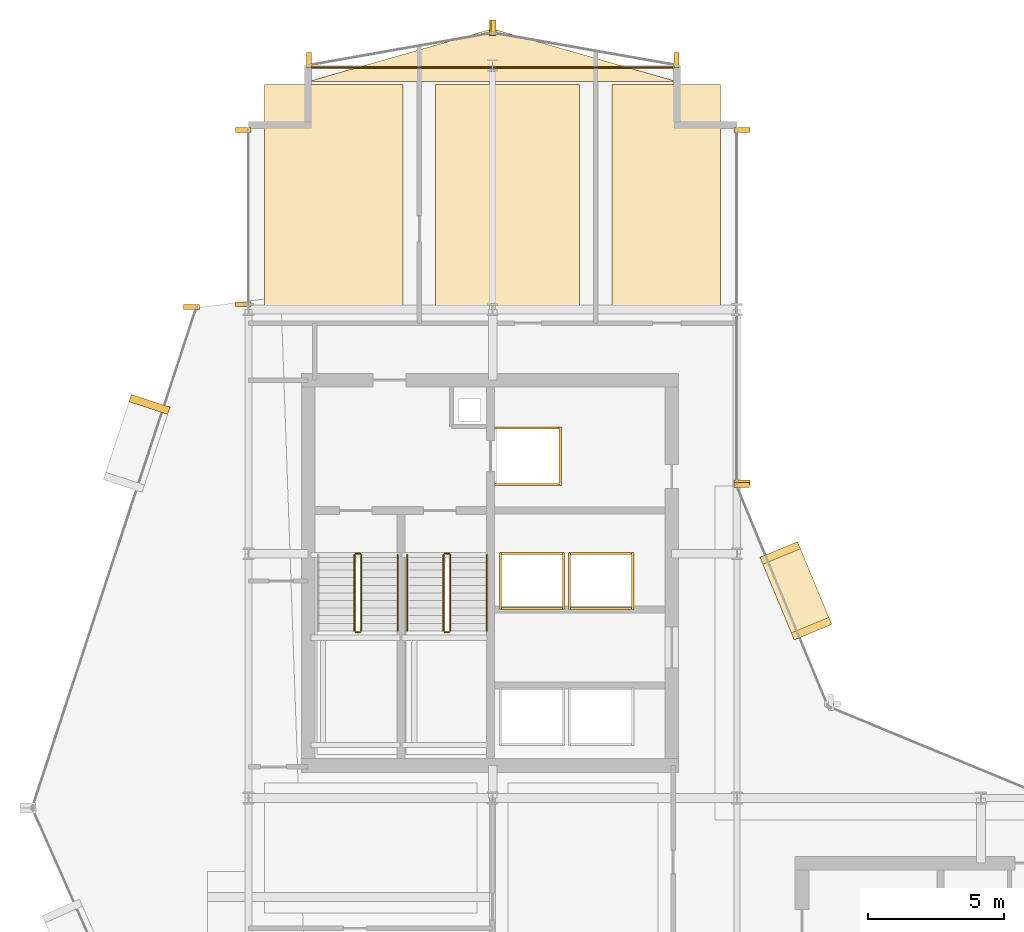
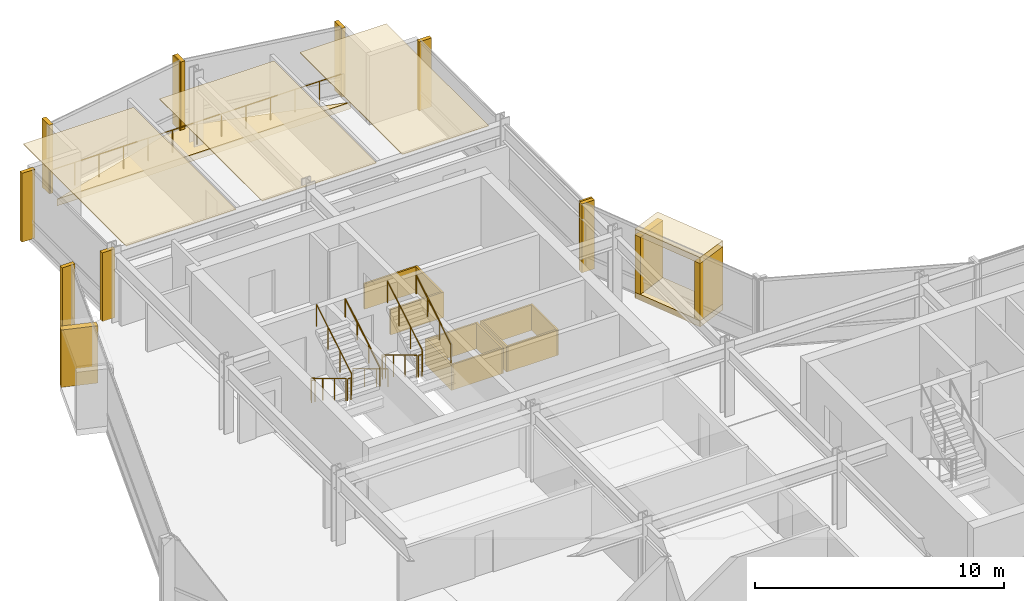
# One storey, part 29 of 29: 30 coverings, 12 railings.
"""IFC4 building model written with IfcOpenShell, lengths in metres."""

from ifc_helpers import new_model, si_unit, direction, frame, origin, origin_2d, place, context, subcontext, project, spatial, polyline, rectangle, circle, outline, extrude, material, layer, layer_set, type_object, element, save


model = new_model("IFC4")

# Units and contexts
model_context = context("Model", 3, precision=1e-05, world=origin(), true_north=direction((0.0, 1.0)))
body_context = subcontext(model_context, "Body", "Model", "MODEL_VIEW")
ifc_project = project(units=[si_unit("LENGTHUNIT", "METRE"), si_unit("AREAUNIT", "SQUARE_METRE"), si_unit("VOLUMEUNIT", "CUBIC_METRE"), si_unit("PLANEANGLEUNIT", "RADIAN"), si_unit("MASSUNIT", "GRAM", prefix="KILO")], contexts=[model_context])

# Site, building, storey
site_placement = place(None, origin())
site = spatial("IfcSite", under=ifc_project, at=site_placement, CompositionType="ELEMENT")
building_placement = place(site_placement, origin())
building = spatial("IfcBuilding", under=site, at=building_placement, Name="Solvaryn Broadcast Tower", CompositionType="ELEMENT")
storey_placement = place(building_placement, frame((0.0, 0.0, 165.5)))
storey = spatial("IfcBuildingStorey", under=building, at=storey_placement, Name="L41", CompositionType="ELEMENT", Elevation=165.5)

# Coverings
ifc_material_1 = material(Name="Micro-Perforated Acoustic Gypsum Ceiling", Category="concrete")
ifc_layer_1 = layer(ifc_material_1, 0.0400390625)
ifc_layer_set_1 = layer_set([ifc_layer_1], Name="CV-CEIL-ACOUSTIC")
covering_type_1 = type_object("IfcCoveringType", Name="CV-CEIL-ACOUSTIC", PredefinedType="CEILING", material=ifc_layer_set_1)
covering_1_placement = place(storey_placement, frame((0.0, 0.0, 3.330078125)))
element("IfcCovering", 1, at=covering_1_placement, inside=storey, type_object=covering_type_1, Name="L41 Room Acoustic Ceiling 8", PredefinedType="CEILING", context=body_context, shape_type="SweptSolid", body=[
    extrude(outline(polyline([(9.60009765625, 45.070068359375), (14.699951171875, 45.070068359375), (14.699951171875, 53.300048828125), (9.60009765625, 53.300048828125), (9.60009765625, 45.070068359375)])), origin(), (0.0, 0.0, 1.0), 0.0400390625),
])
covering_2_placement = place(storey_placement, frame((0.0, 0.0, 3.330078125)))
element("IfcCovering", 2, at=covering_2_placement, inside=storey, type_object=covering_type_1, Name="L41 Room Acoustic Ceiling 9", PredefinedType="CEILING", context=body_context, shape_type="SweptSolid", body=[
    extrude(outline(polyline([(15.89990234375, 45.070068359375), (21.199951171875, 45.070068359375), (21.199951171875, 53.300048828125), (15.89990234375, 53.300048828125), (15.89990234375, 45.070068359375)])), origin(), (0.0, 0.0, 1.0), 0.0400390625),
])
covering_3_placement = place(storey_placement, frame((0.0, 0.0, 3.330078125)))
element("IfcCovering", 3, at=covering_3_placement, inside=storey, type_object=covering_type_1, Name="L41 Room Acoustic Ceiling 10", PredefinedType="CEILING", context=body_context, shape_type="SweptSolid", body=[
    extrude(outline(polyline([(22.39990234375, 45.070068359375), (26.39990234375, 45.070068359375), (26.39990234375, 53.300048828125), (22.39990234375, 53.300048828125), (22.39990234375, 45.070068359375)])), origin(), (0.0, 0.0, 1.0), 0.0400390625),
])
ifc_material_2 = material(Name="Fire-Rated Gypsum Shaftwall Liner", Category="concrete")
ifc_layer_2 = layer(ifc_material_2, 0.080078125)
ifc_layer_set_2 = layer_set([ifc_layer_2], Name="CV-SHAFT-LINER")
covering_type_2 = type_object("IfcCoveringType", Name="CV-SHAFT-LINER", PredefinedType="CLADDING", material=ifc_layer_set_2)
for number, where, z_axis, x_axis, name in (
    (4, (19.300048828125, 40.639892578125, 0.0), (0.0, 0.0, 1.0), (1.0, 0.0, 0.0), "L41 FL1 Hoistway Shaft Liner North"),
    (5, (19.300048828125, 38.56005859375, 0.0), (0.0, 0.0, 1.0), (1.0, 0.0, 0.0), "L41 FL1 Hoistway Shaft Liner South"),
):
    element("IfcCovering", number, at=place(storey_placement, frame(where, z_axis=z_axis, x_axis=x_axis)), inside=storey, type_object=covering_type_2, Name=name, PredefinedType="CLADDING", context=body_context, shape_type="SweptSolid", body=[
        extrude(rectangle(XDim=2.4599609375, YDim=0.080078125, at=origin_2d()), origin(), (0.0, 0.0, 1.0), 1.25),
    ])
covering_4_placement = place(storey_placement, frame((20.489990234375, 39.60009765625, 0.0), z_axis=(0.0, 0.0, 1.0), x_axis=(1.0, 0.0, 0.0)))
element("IfcCovering", 6, at=covering_4_placement, inside=storey, type_object=covering_type_2, Name="L41 FL1 Hoistway Shaft Liner East", PredefinedType="CLADDING", context=body_context, shape_type="SweptSolid", body=[
    extrude(rectangle(XDim=0.080078125, YDim=2.159912109375, at=origin_2d()), origin(), (0.0, 0.0, 1.0), 1.25),
])
for number, where, z_axis, x_axis, name in (
    (7, (19.449951171875, 36.014892578125, 0.0), (0.0, 0.0, 1.0), (1.0, 0.0, 0.0), "L41 PH3 Hoistway Shaft Liner North"),
    (8, (19.449951171875, 33.985107421875, 0.0), (0.0, 0.0, 1.0), (1.0, 0.0, 0.0), "L41 PH3 Hoistway Shaft Liner South"),
):
    element("IfcCovering", number, at=place(storey_placement, frame(where, z_axis=z_axis, x_axis=x_axis)), inside=storey, type_object=covering_type_2, Name=name, PredefinedType="CLADDING", context=body_context, shape_type="SweptSolid", body=[
        extrude(rectangle(XDim=2.409912109375, YDim=0.080078125, at=origin_2d()), origin(), (0.0, 0.0, 1.0), 1.25),
    ])
for number, where, z_axis, x_axis, name in (
    (9, (20.614990234375, 35.0, 0.0), (0.0, 0.0, 1.0), (1.0, 0.0, 0.0), "L41 PH3 Hoistway Shaft Liner East"),
    (10, (18.284912109375, 35.0, 0.0), (0.0, 0.0, 1.0), (1.0, 0.0, 0.0), "L41 PH3 Hoistway Shaft Liner West"),
):
    element("IfcCovering", number, at=place(storey_placement, frame(where, z_axis=z_axis, x_axis=x_axis)), inside=storey, type_object=covering_type_2, Name=name, PredefinedType="CLADDING", context=body_context, shape_type="SweptSolid", body=[
        extrude(rectangle(XDim=0.080078125, YDim=2.110107421875, at=origin_2d()), origin(), (0.0, 0.0, 1.0), 1.25),
    ])
for number, where, z_axis, x_axis, name in (
    (11, (22.0, 36.014892578125, 0.0), (0.0, 0.0, 1.0), (1.0, 0.0, 0.0), "L41 PH4 Hoistway Shaft Liner North"),
    (12, (22.0, 33.985107421875, 0.0), (0.0, 0.0, 1.0), (1.0, 0.0, 0.0), "L41 PH4 Hoistway Shaft Liner South"),
):
    element("IfcCovering", number, at=place(storey_placement, frame(where, z_axis=z_axis, x_axis=x_axis)), inside=storey, type_object=covering_type_2, Name=name, PredefinedType="CLADDING", context=body_context, shape_type="SweptSolid", body=[
        extrude(rectangle(XDim=2.409912109375, YDim=0.080078125, at=origin_2d()), origin(), (0.0, 0.0, 1.0), 1.25),
    ])
for number, where, z_axis, x_axis, name in (
    (13, (23.1650390625, 35.0, 0.0), (0.0, 0.0, 1.0), (1.0, 0.0, 0.0), "L41 PH4 Hoistway Shaft Liner East"),
    (14, (20.8349609375, 35.0, 0.0), (0.0, 0.0, 1.0), (1.0, 0.0, 0.0), "L41 PH4 Hoistway Shaft Liner West"),
):
    element("IfcCovering", number, at=place(storey_placement, frame(where, z_axis=z_axis, x_axis=x_axis)), inside=storey, type_object=covering_type_2, Name=name, PredefinedType="CLADDING", context=body_context, shape_type="SweptSolid", body=[
        extrude(rectangle(XDim=0.080078125, YDim=2.110107421875, at=origin_2d()), origin(), (0.0, 0.0, 1.0), 1.25),
    ])
ifc_material_3 = material(Name="Glazed Architectural Terracotta Rainscreen Cladding", Category="masonry")
ifc_layer_3 = layer(ifc_material_3, 0.280029296875)
ifc_layer_set_3 = layer_set([ifc_layer_3], Name="CV-TC-CLAD")
covering_type_3 = type_object("IfcCoveringType", Name="CV-TC-CLAD", PredefinedType="CLADDING", material=ifc_layer_set_3)
covering_5_placement = place(storey_placement, frame((5.353515625, 41.505859375, 0.280029296875), z_axis=(0.0, 0.0, 1.0), x_axis=(-0.311671636848, -0.950189870912, 0.0)))
element("IfcCovering", 15, at=covering_5_placement, inside=storey, type_object=covering_type_3, Name="L41 Projecting Stone Window Box Cheek 1-1", PredefinedType="CLADDING", context=body_context, shape_type="SweptSolid", body=[
    extrude(rectangle(XDim=0.280029296875, YDim=1.5, at=origin_2d()), origin(), (0.0, 0.0, 1.0), 2.81005859375),
])
for number, where, z_axis, x_axis, name in (
    (16, (29.174072265625, 34.636962890625, 3.080078125), (0.0, 0.0, 1.0), (-0.382683432365, 0.923879532511, 0.0), "L41 Projecting Stone Window Box Hood 5"),
    (17, (29.174072265625, 34.636962890625, -0.01025390625), (0.0, 0.0, 1.0), (-0.382683432365, 0.923879532511, 0.0), "L41 Projecting Stone Window Box Sill 5"),
):
    element("IfcCovering", number, at=place(storey_placement, frame(where, z_axis=z_axis, x_axis=x_axis)), inside=storey, type_object=covering_type_3, Name=name, PredefinedType="CLADDING", context=body_context, shape_type="SweptSolid", body=[
        extrude(rectangle(XDim=3.300048828125, YDim=1.5, at=origin_2d()), origin(), (0.0, 0.0, 1.0), 0.300048828125),
    ])
for number, where, z_axis, x_axis, name in (
    (18, (29.751953125, 33.241943359375, 0.280029296875), (0.0, 0.0, 1.0), (-0.382683432365, 0.923879532511, 0.0), "L41 Projecting Stone Window Box Cheek 5-1"),
    (19, (28.59619140625, 36.031982421875, 0.280029296875), (0.0, 0.0, 1.0), (-0.382683432365, 0.923879532511, 0.0), "L41 Projecting Stone Window Box Cheek 5-2"),
):
    element("IfcCovering", number, at=place(storey_placement, frame(where, z_axis=z_axis, x_axis=x_axis)), inside=storey, type_object=covering_type_3, Name=name, PredefinedType="CLADDING", context=body_context, shape_type="SweptSolid", body=[
        extrude(rectangle(XDim=0.280029296875, YDim=1.5, at=origin_2d()), origin(), (0.0, 0.0, 1.0), 2.81005859375),
    ])
ifc_material_4 = material(Name="Extruded Architectural Terracotta Fin", Category="masonry")
ifc_layer_4 = layer(ifc_material_4, 0.179931640625)
ifc_layer_set_4 = layer_set([ifc_layer_4], Name="CV-TC-FIN")
covering_type_4 = type_object("IfcCoveringType", Name="CV-TC-FIN", PredefinedType="USERDEFINED", material=ifc_layer_set_4)
for number, where, z_axis, x_axis, name in (
    (20, (6.898681640625, 45.0947265625, 0.0), (0.0, 0.0, 1.0), (1.0, 0.0, 0.0), "L41 Terracotta Vertical Fin FIN-L41-DR1-M00"),
    (21, (8.8125, 45.197021484375, 0.0), (0.0, 0.0, 1.0), (1.0, 0.0, 0.0), "L41 Terracotta Vertical Fin FIN-L41-W2-M00"),
    (22, (8.8125, 51.6201171875, 0.0), (0.0, 0.0, 1.0), (1.0, 0.0, 0.0), "L41 Terracotta Vertical Fin FIN-L41-W2-M01"),
    (23, (27.1875, 51.6201171875, 0.0), (0.0, 0.0, 1.0), (1.0, 0.0, 0.0), "L41 Terracotta Vertical Fin FIN-L41-IV-M00"),
    (24, (27.1875, 38.6298828125, 0.0), (0.0, 0.0, 1.0), (1.0, 0.0, 0.0), "L41 Terracotta Vertical Fin FIN-L41-IV-M01"),
    (25, (27.177978515625, 38.541259765625, 0.0), (0.0, 0.0, 1.0), (1.0, 0.0, 0.0), "L41 Terracotta Vertical Fin FIN-L41-CN2-M01"),
):
    element("IfcCovering", number, at=place(storey_placement, frame(where, z_axis=z_axis, x_axis=x_axis)), inside=storey, type_object=covering_type_4, Name=name, ObjectType="FIN", PredefinedType="USERDEFINED", context=body_context, shape_type="SweptSolid", body=[
        extrude(rectangle(XDim=0.580078125, YDim=0.179931640625, at=origin_2d()), origin(), (0.0, 0.0, 1.0), 3.3701171875),
    ])
for number, where, z_axis, x_axis, name in (
    (26, (24.7705078125, 54.192626953125, 0.0), (0.0, 0.0, 1.0), (1.0, 0.0, 0.0), "L41 Terracotta Vertical Fin FIN-L41-NT1-M00"),
    (27, (18.029541015625, 55.38232421875, 0.0), (0.0, 0.0, 1.0), (1.0, 0.0, 0.0), "L41 Terracotta Vertical Fin FIN-L41-NT1-M01"),
    (28, (17.970458984375, 55.38232421875, 0.0), (0.0, 0.0, 1.0), (1.0, 0.0, 0.0), "L41 Terracotta Vertical Fin FIN-L41-NT2-M00"),
    (29, (11.2294921875, 54.192626953125, 0.0), (0.0, 0.0, 1.0), (1.0, 0.0, 0.0), "L41 Terracotta Vertical Fin FIN-L41-NT2-M01"),
):
    element("IfcCovering", number, at=place(storey_placement, frame(where, z_axis=z_axis, x_axis=x_axis)), inside=storey, type_object=covering_type_4, Name=name, ObjectType="FIN", PredefinedType="USERDEFINED", context=body_context, shape_type="SweptSolid", body=[
        extrude(rectangle(XDim=0.179931640625, YDim=0.580078125, at=origin_2d()), origin(), (0.0, 0.0, 1.0), 3.3701171875),
    ])
ifc_material_5 = material(Name="Sculpted Architectural Terracotta Wave Fascia", Category="masonry")
ifc_layer_5 = layer(ifc_material_5, 0.340087890625)
ifc_layer_set_5 = layer_set([ifc_layer_5], Name="CV-WAVE-TRAY")
covering_type_5 = type_object("IfcCoveringType", Name="CV-WAVE-TRAY", PredefinedType="CLADDING", material=ifc_layer_set_5)
covering_6_placement = place(storey_placement, frame((0.0, 0.0, -0.300048828125)))
element("IfcCovering", 30, at=covering_6_placement, inside=storey, type_object=covering_type_5, Name="L41 North Curved Wing Deck", PredefinedType="CLADDING", context=body_context, shape_type="SweptSolid", body=[
    extrude(outline(polyline([(11.199951171875, 53.39990234375), (24.800048828125, 53.39990234375), (18.0, 55.35009765625), (11.199951171875, 53.39990234375)])), origin(), (0.0, 0.0, 1.0), 0.330078125),
])

# Railings
ifc_material_6 = material(Name="Painted Steel Stair Well Guard", Category="steel")
railing_type_1 = type_object("IfcRailingType", Name="RL-STAIR-GUARD", PredefinedType="BALUSTRADE", material=ifc_material_6)
railing_1_placement = place(storey_placement, frame((12.909912109375, 35.9599609375, 0.168212890625)))
element("IfcRailing", 31, at=railing_1_placement, inside=storey, type_object=railing_type_1, Name="L41 ST1 stair guard 1", PredefinedType="BALUSTRADE", context=body_context, shape_type="SweptSolid", body=[
    extrude(circle(Radius=0.02392578125, at=origin_2d()), frame((0.0, 0.0, 1.076171875), z_axis=(0.0, -0.857242210791, 0.514913383045), x_axis=(1.0, 0.0, 0.0)), (0.0, 0.0, 1.0), 3.266357421875),
    extrude(circle(Radius=0.02099609375, at=origin_2d()), origin(), (0.0, 0.0, 1.0), 1.052001953125),
    extrude(circle(Radius=0.02099609375, at=origin_2d()), frame((0.0, -0.933349609375, 0.560546875)), (0.0, 0.0, 1.0), 1.052001953125),
    extrude(circle(Radius=0.02099609375, at=origin_2d()), frame((0.0, -1.86669921875, 1.121337890625)), (0.0, 0.0, 1.0), 1.052001953125),
    extrude(circle(Radius=0.02099609375, at=origin_2d()), frame((0.0, -2.800048828125, 1.681884765625)), (0.0, 0.0, 1.0), 1.052001953125),
])
railing_2_placement = place(storey_placement, frame((12.9599609375, 33.110107421875, 1.85009765625)))
element("IfcRailing", 32, at=railing_2_placement, inside=storey, type_object=railing_type_1, Name="L41 ST1 stair guard 2", PredefinedType="BALUSTRADE", context=body_context, shape_type="SweptSolid", body=[
    extrude(circle(Radius=0.02392578125, at=origin_2d()), frame((0.0, 0.0, 1.076171875), z_axis=(1.0, 0.0, 0.0), x_axis=(0.0, 1.0, 0.0)), (0.0, 0.0, 1.0), 0.150146484375),
    extrude(circle(Radius=0.02099609375, at=origin_2d()), origin(), (0.0, 0.0, 1.0), 1.052001953125),
    extrude(circle(Radius=0.02099609375, at=origin_2d()), frame((0.150146484375, 0.0, 0.0)), (0.0, 0.0, 1.0), 1.052001953125),
])
railing_3_placement = place(storey_placement, frame((13.159912109375, 33.159912109375, 2.01806640625)))
element("IfcRailing", 33, at=railing_3_placement, inside=storey, type_object=railing_type_1, Name="L41 ST1 stair guard 3", PredefinedType="BALUSTRADE", context=body_context, shape_type="SweptSolid", body=[
    extrude(circle(Radius=0.02392578125, at=origin_2d()), frame((0.0, 0.0, 1.076171875), z_axis=(0.0, 0.857242210791, 0.514913383045), x_axis=(-1.0, 0.0, 0.0)), (0.0, 0.0, 1.0), 3.266357421875),
    extrude(circle(Radius=0.02099609375, at=origin_2d()), origin(), (0.0, 0.0, 1.0), 1.052001953125),
    extrude(circle(Radius=0.02099609375, at=origin_2d()), frame((0.0, 0.933349609375, 0.560546875)), (0.0, 0.0, 1.0), 1.052001953125),
    extrude(circle(Radius=0.02099609375, at=origin_2d()), frame((0.0, 1.86669921875, 1.121337890625)), (0.0, 0.0, 1.0), 1.052001953125),
    extrude(circle(Radius=0.02099609375, at=origin_2d()), frame((0.0, 2.800048828125, 1.681884765625)), (0.0, 0.0, 1.0), 1.052001953125),
])
railing_4_placement = place(storey_placement, frame((12.9599609375, 36.010009765625, 0.0)))
element("IfcRailing", 34, at=railing_4_placement, inside=storey, type_object=railing_type_1, Name="L41 ST1 stair guard 4", PredefinedType="BALUSTRADE", context=body_context, shape_type="SweptSolid", body=[
    extrude(circle(Radius=0.02392578125, at=origin_2d()), frame((0.0, 0.0, 1.076171875), z_axis=(1.0, 0.0, 0.0), x_axis=(0.0, 1.0, 0.0)), (0.0, 0.0, 1.0), 0.150146484375),
    extrude(circle(Radius=0.02099609375, at=origin_2d()), origin(), (0.0, 0.0, 1.0), 1.052001953125),
    extrude(circle(Radius=0.02099609375, at=origin_2d()), frame((0.150146484375, 0.0, 0.0)), (0.0, 0.0, 1.0), 1.052001953125),
])
railing_5_placement = place(storey_placement, frame((16.18994140625, 35.9599609375, 0.168212890625)))
element("IfcRailing", 35, at=railing_5_placement, inside=storey, type_object=railing_type_1, Name="L41 ST2 stair guard 1", PredefinedType="BALUSTRADE", context=body_context, shape_type="SweptSolid", body=[
    extrude(circle(Radius=0.02392578125, at=origin_2d()), frame((0.0, 0.0, 1.076171875), z_axis=(0.0, -0.857242210791, 0.514913383045), x_axis=(1.0, 0.0, 0.0)), (0.0, 0.0, 1.0), 3.266357421875),
    extrude(circle(Radius=0.02099609375, at=origin_2d()), origin(), (0.0, 0.0, 1.0), 1.052001953125),
    extrude(circle(Radius=0.02099609375, at=origin_2d()), frame((0.0, -0.933349609375, 0.560546875)), (0.0, 0.0, 1.0), 1.052001953125),
    extrude(circle(Radius=0.02099609375, at=origin_2d()), frame((0.0, -1.86669921875, 1.121337890625)), (0.0, 0.0, 1.0), 1.052001953125),
    extrude(circle(Radius=0.02099609375, at=origin_2d()), frame((0.0, -2.800048828125, 1.681884765625)), (0.0, 0.0, 1.0), 1.052001953125),
])
railing_6_placement = place(storey_placement, frame((16.239990234375, 33.110107421875, 1.85009765625)))
element("IfcRailing", 36, at=railing_6_placement, inside=storey, type_object=railing_type_1, Name="L41 ST2 stair guard 2", PredefinedType="BALUSTRADE", context=body_context, shape_type="SweptSolid", body=[
    extrude(circle(Radius=0.02392578125, at=origin_2d()), frame((0.0, 0.0, 1.076171875), z_axis=(1.0, 0.0, 0.0), x_axis=(0.0, 1.0, 0.0)), (0.0, 0.0, 1.0), 0.14990234375),
    extrude(circle(Radius=0.02099609375, at=origin_2d()), origin(), (0.0, 0.0, 1.0), 1.052001953125),
    extrude(circle(Radius=0.02099609375, at=origin_2d()), frame((0.14990234375, 0.0, 0.0)), (0.0, 0.0, 1.0), 1.052001953125),
])
railing_7_placement = place(storey_placement, frame((16.43994140625, 33.159912109375, 2.01806640625)))
element("IfcRailing", 37, at=railing_7_placement, inside=storey, type_object=railing_type_1, Name="L41 ST2 stair guard 3", PredefinedType="BALUSTRADE", context=body_context, shape_type="SweptSolid", body=[
    extrude(circle(Radius=0.02392578125, at=origin_2d()), frame((0.0, 0.0, 1.076171875), z_axis=(0.0, 0.857242210791, 0.514913383045), x_axis=(-1.0, 0.0, 0.0)), (0.0, 0.0, 1.0), 3.266357421875),
    extrude(circle(Radius=0.02099609375, at=origin_2d()), origin(), (0.0, 0.0, 1.0), 1.052001953125),
    extrude(circle(Radius=0.02099609375, at=origin_2d()), frame((0.0, 0.933349609375, 0.560546875)), (0.0, 0.0, 1.0), 1.052001953125),
    extrude(circle(Radius=0.02099609375, at=origin_2d()), frame((0.0, 1.86669921875, 1.121337890625)), (0.0, 0.0, 1.0), 1.052001953125),
    extrude(circle(Radius=0.02099609375, at=origin_2d()), frame((0.0, 2.800048828125, 1.681884765625)), (0.0, 0.0, 1.0), 1.052001953125),
])
railing_8_placement = place(storey_placement, frame((16.239990234375, 36.010009765625, 0.0)))
element("IfcRailing", 38, at=railing_8_placement, inside=storey, type_object=railing_type_1, Name="L41 ST2 stair guard 4", PredefinedType="BALUSTRADE", context=body_context, shape_type="SweptSolid", body=[
    extrude(circle(Radius=0.02392578125, at=origin_2d()), frame((0.0, 0.0, 1.076171875), z_axis=(1.0, 0.0, 0.0), x_axis=(0.0, 1.0, 0.0)), (0.0, 0.0, 1.0), 0.14990234375),
    extrude(circle(Radius=0.02099609375, at=origin_2d()), origin(), (0.0, 0.0, 1.0), 1.052001953125),
    extrude(circle(Radius=0.02099609375, at=origin_2d()), frame((0.14990234375, 0.0, 0.0)), (0.0, 0.0, 1.0), 1.052001953125),
])
ifc_material_7 = material(Name="Brushed Stainless Steel Tubular Handrail", Category="steel")
railing_type_2 = type_object("IfcRailingType", Name="RL-STAIR-HANDRAIL", PredefinedType="HANDRAIL", material=ifc_material_7)
railing_9_placement = place(storey_placement, frame((14.5, 33.159912109375, 2.01806640625)))
element("IfcRailing", 39, at=railing_9_placement, inside=storey, type_object=railing_type_2, Name="L41 ST1 stair handrail 2", PredefinedType="HANDRAIL", context=body_context, shape_type="SweptSolid", body=[
    extrude(circle(Radius=0.02392578125, at=origin_2d()), frame((0.0, 0.0, 0.8759765625), z_axis=(0.0, 0.857242210791, 0.514913383045), x_axis=(-1.0, 0.0, 0.0)), (0.0, 0.0, 1.0), 3.266357421875),
    extrude(circle(Radius=0.02099609375, at=origin_2d()), origin(), (0.0, 0.0, 1.0), 0.851806640625),
    extrude(circle(Radius=0.02099609375, at=origin_2d()), frame((0.0, 0.933349609375, 0.560546875)), (0.0, 0.0, 1.0), 0.851806640625),
    extrude(circle(Radius=0.02099609375, at=origin_2d()), frame((0.0, 1.86669921875, 1.121337890625)), (0.0, 0.0, 1.0), 0.851806640625),
    extrude(circle(Radius=0.02099609375, at=origin_2d()), frame((0.0, 2.800048828125, 1.681884765625)), (0.0, 0.0, 1.0), 0.851806640625),
])
railing_10_placement = place(storey_placement, frame((14.85009765625, 35.9599609375, 0.168212890625)))
element("IfcRailing", 40, at=railing_10_placement, inside=storey, type_object=railing_type_2, Name="L41 ST2 stair handrail 1", PredefinedType="HANDRAIL", context=body_context, shape_type="SweptSolid", body=[
    extrude(circle(Radius=0.02392578125, at=origin_2d()), frame((0.0, 0.0, 0.8759765625), z_axis=(0.0, -0.857242210791, 0.514913383045), x_axis=(1.0, 0.0, 0.0)), (0.0, 0.0, 1.0), 3.266357421875),
    extrude(circle(Radius=0.02099609375, at=origin_2d()), origin(), (0.0, 0.0, 1.0), 0.851806640625),
    extrude(circle(Radius=0.02099609375, at=origin_2d()), frame((0.0, -0.933349609375, 0.560546875)), (0.0, 0.0, 1.0), 0.851806640625),
    extrude(circle(Radius=0.02099609375, at=origin_2d()), frame((0.0, -1.86669921875, 1.121337890625)), (0.0, 0.0, 1.0), 0.851806640625),
    extrude(circle(Radius=0.02099609375, at=origin_2d()), frame((0.0, -2.800048828125, 1.681884765625)), (0.0, 0.0, 1.0), 0.851806640625),
])
railing_11_placement = place(storey_placement, frame((17.780029296875, 33.159912109375, 2.01806640625)))
element("IfcRailing", 41, at=railing_11_placement, inside=storey, type_object=railing_type_2, Name="L41 ST2 stair handrail 2", PredefinedType="HANDRAIL", context=body_context, shape_type="SweptSolid", body=[
    extrude(circle(Radius=0.02392578125, at=origin_2d()), frame((0.0, 0.0, 0.8759765625), z_axis=(0.0, 0.857242210791, 0.514913383045), x_axis=(-1.0, 0.0, 0.0)), (0.0, 0.0, 1.0), 3.266357421875),
    extrude(circle(Radius=0.02099609375, at=origin_2d()), origin(), (0.0, 0.0, 1.0), 0.851806640625),
    extrude(circle(Radius=0.02099609375, at=origin_2d()), frame((0.0, 0.933349609375, 0.560546875)), (0.0, 0.0, 1.0), 0.851806640625),
    extrude(circle(Radius=0.02099609375, at=origin_2d()), frame((0.0, 1.86669921875, 1.121337890625)), (0.0, 0.0, 1.0), 0.851806640625),
    extrude(circle(Radius=0.02099609375, at=origin_2d()), frame((0.0, 2.800048828125, 1.681884765625)), (0.0, 0.0, 1.0), 0.851806640625),
])
ifc_material_8 = material(Name="Stainless Steel and Laminated Glass Guard", Category="steel")
railing_type_3 = type_object("IfcRailingType", Name="RL-TER-1150", PredefinedType="BALUSTRADE", material=ifc_material_8)
railing_12_placement = place(storey_placement, frame((11.199951171875, 53.919921875, 0.0)))
element("IfcRailing", 42, at=railing_12_placement, inside=storey, type_object=railing_type_3, Name="L41 North Wing Spandrel Edge Guard", PredefinedType="BALUSTRADE", context=body_context, shape_type="SweptSolid", body=[
    extrude(circle(Radius=0.02392578125, at=origin_2d()), frame((0.0, 0.0, 1.1259765625), z_axis=(1.0, 0.0, 0.0), x_axis=(0.0, 1.0, 0.0)), (0.0, 0.0, 1.0), 13.60009765625),
    extrude(circle(Radius=0.02099609375, at=origin_2d()), origin(), (0.0, 0.0, 1.0), 1.101806640625),
    extrude(circle(Radius=0.02099609375, at=origin_2d()), frame((1.13330078125, 0.0, 0.0)), (0.0, 0.0, 1.0), 1.101806640625),
    extrude(circle(Radius=0.02099609375, at=origin_2d()), frame((2.2666015625, 0.0, 0.0)), (0.0, 0.0, 1.0), 1.101806640625),
    extrude(circle(Radius=0.02099609375, at=origin_2d()), frame((3.39990234375, 0.0, 0.0)), (0.0, 0.0, 1.0), 1.101806640625),
    extrude(circle(Radius=0.02099609375, at=origin_2d()), frame((4.533447265625, 0.0, 0.0)), (0.0, 0.0, 1.0), 1.101806640625),
    extrude(circle(Radius=0.02099609375, at=origin_2d()), frame((5.666748046875, 0.0, 0.0)), (0.0, 0.0, 1.0), 1.101806640625),
    extrude(circle(Radius=0.02099609375, at=origin_2d()), frame((6.800048828125, 0.0, 0.0)), (0.0, 0.0, 1.0), 1.101806640625),
    extrude(circle(Radius=0.02099609375, at=origin_2d()), frame((7.933349609375, 0.0, 0.0)), (0.0, 0.0, 1.0), 1.101806640625),
    extrude(circle(Radius=0.02099609375, at=origin_2d()), frame((9.066650390625, 0.0, 0.0)), (0.0, 0.0, 1.0), 1.101806640625),
    extrude(circle(Radius=0.02099609375, at=origin_2d()), frame((10.2001953125, 0.0, 0.0)), (0.0, 0.0, 1.0), 1.101806640625),
    extrude(circle(Radius=0.02099609375, at=origin_2d()), frame((11.33349609375, 0.0, 0.0)), (0.0, 0.0, 1.0), 1.101806640625),
    extrude(circle(Radius=0.02099609375, at=origin_2d()), frame((12.466796875, 0.0, 0.0)), (0.0, 0.0, 1.0), 1.101806640625),
    extrude(circle(Radius=0.02099609375, at=origin_2d()), frame((13.60009765625, 0.0, 0.0)), (0.0, 0.0, 1.0), 1.101806640625),
])

save(model, "model.ifc")
